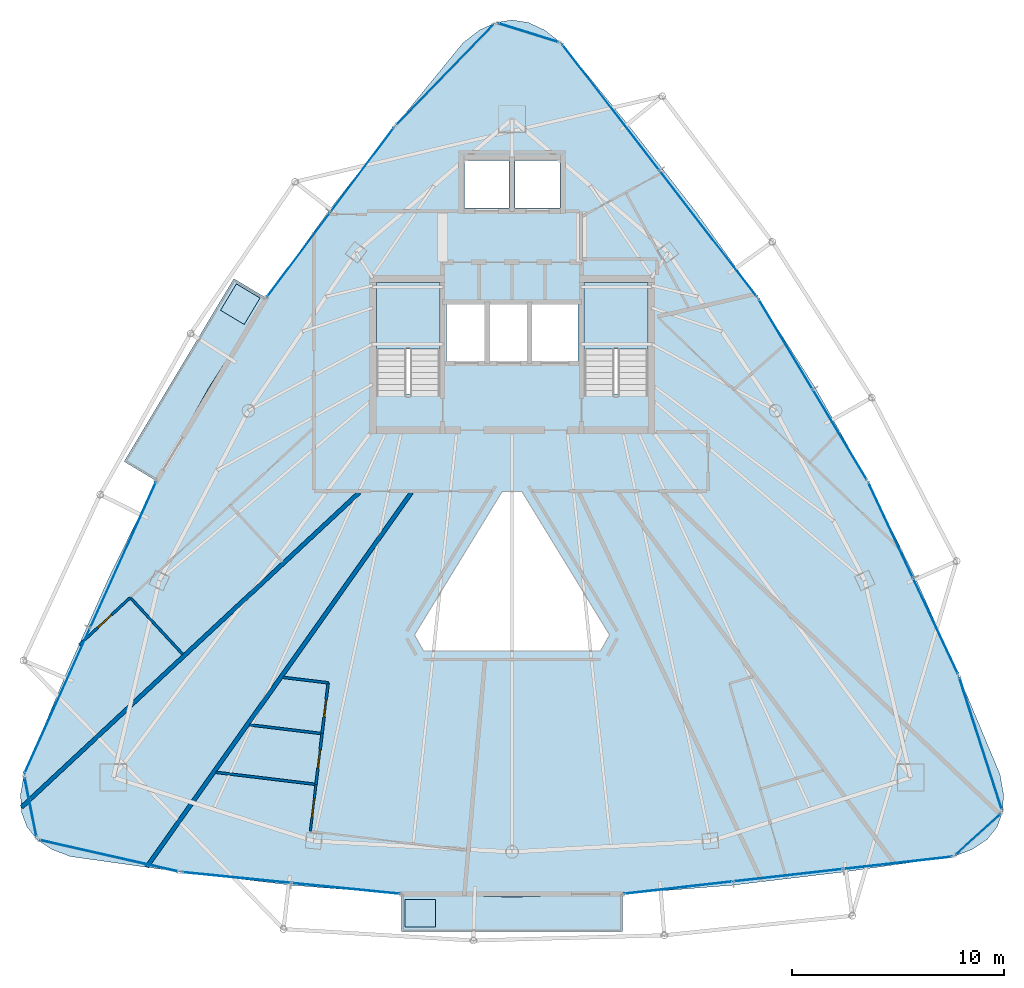
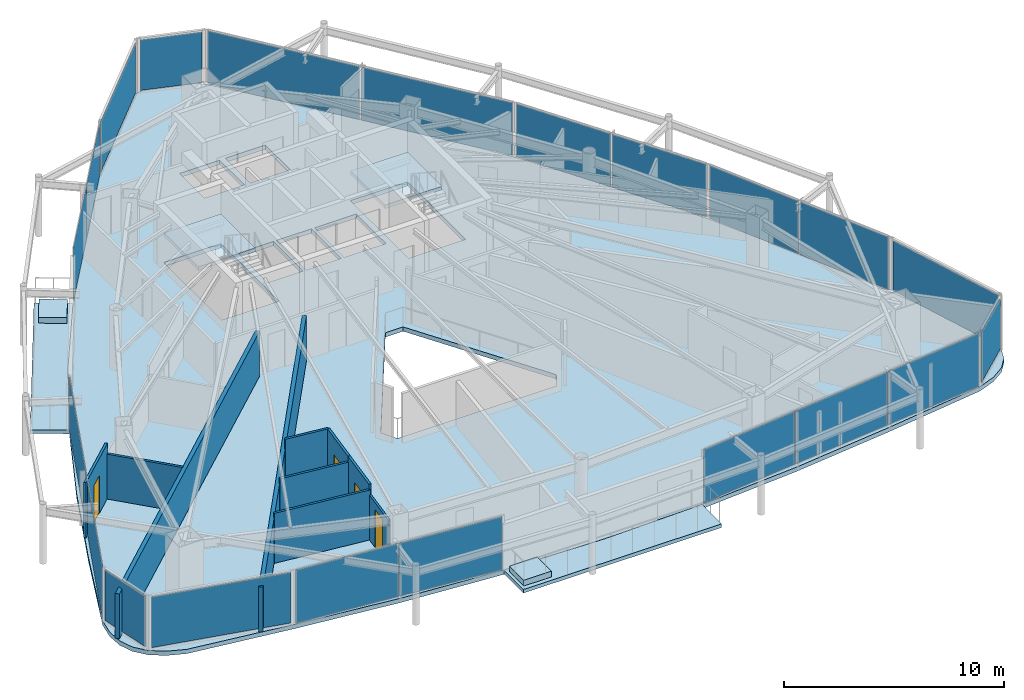
# One storey, part 26 of 32: 21 plates, 10 walls, 7 slabs, 4 doors, 4 openings, 15 elements without a shape of their own.
"""IFC4 building model written with IfcOpenShell, lengths in metres."""

from ifc_helpers import new_model, si_unit, direction, frame, frame_2d, origin, origin_2d, place, context, subcontext, project, spatial, polyline, rectangle, outline, extrude, material, layer, layer_set, type_object, element, fill, aggregate, save


model = new_model("IFC4")

# Units and contexts
model_context = context("Model", 3, precision=1e-05, world=origin(), true_north=direction((0.0, 1.0)))
body_context = subcontext(model_context, "Body", "Model", "MODEL_VIEW")
ifc_project = project(units=[si_unit("LENGTHUNIT", "METRE"), si_unit("AREAUNIT", "SQUARE_METRE"), si_unit("VOLUMEUNIT", "CUBIC_METRE"), si_unit("PLANEANGLEUNIT", "RADIAN"), si_unit("MASSUNIT", "GRAM", prefix="KILO")], contexts=[model_context])

# Site, building, storey
site_placement = place(None, origin())
site = spatial("IfcSite", under=ifc_project, at=site_placement, CompositionType="ELEMENT")
building_placement = place(site_placement, origin())
building = spatial("IfcBuilding", under=site, at=building_placement, Name="Orvanel Arch Residences", CompositionType="ELEMENT")
storey_placement = place(building_placement, frame((0.0, 0.0, 216.199951171875)))
storey = spatial("IfcBuildingStorey", under=building, at=storey_placement, Name="L61", CompositionType="ELEMENT", Elevation=216.199951171875)

# Curtain wall, plates
ifc_material_1 = material(Name="Bronze-anodised aluminium AA6063-T6", Category="aluminium")
ifc_layer_1 = layer(ifc_material_1, 0.175048828125)
ifc_layer_set_1 = layer_set([ifc_layer_1], Name="Bronze-anodised aluminium AA6063-T6")
curtain_wall_type_1 = type_object("IfcCurtainWallType", Name="CW4-HI-SYS", PredefinedType="NOTDEFINED", material=ifc_layer_set_1)
curtain_wall_1_placement = place(storey_placement, origin())
curtain_wall_1 = element("IfcCurtainWall", 1, at=curtain_wall_1_placement, inside=storey, type_object=curtain_wall_type_1, Name="L61 CW4-HI-SYS Unitised Curtain Wall", PredefinedType="NOTDEFINED")
ifc_material_2 = material(Name="Double-glazed solar-control low-E safety glass", Category="glass")
ifc_layer_2 = layer(ifc_material_2, 0.028076171875)
ifc_layer_set_2 = layer_set([ifc_layer_2], Name="Double-glazed solar-control low-E safety glass")
plate_type_1 = type_object("IfcPlateType", Name="PNL-GLZ-28", PredefinedType="CURTAIN_PANEL", material=ifc_layer_set_2)
plate_1_placement = place(storey_placement, frame((25.9365234375, 39.006103515625, 0.06005859375), z_axis=(0.0, 0.0, 1.0), x_axis=(-0.599364196559, -0.800476458044, 0.0)))
plate_1 = element("IfcPlate", 2, at=plate_1_placement, type_object=plate_type_1, Name="CW-S4 panel 1.1", PredefinedType="CURTAIN_PANEL", context=body_context, shape_type="SweptSolid", body=[
    extrude(rectangle(XDim=4.93701171875, YDim=0.028076171875, at=origin_2d()), origin(), (0.0, 0.0, 1.0), 2.93994140625),
])
plate_2_placement = place(storey_placement, frame((22.9384765625, 35.001953125, 0.06005859375), z_axis=(0.0, 0.0, 1.0), x_axis=(-0.599364196559, -0.800476458044, 0.0)))
plate_2 = element("IfcPlate", 3, at=plate_2_placement, type_object=plate_type_1, Name="CW-S4 panel 2.1", PredefinedType="CURTAIN_PANEL", context=body_context, shape_type="SweptSolid", body=[
    extrude(rectangle(XDim=4.93701171875, YDim=0.028076171875, at=origin_2d()), origin(), (0.0, 0.0, 1.0), 2.93994140625),
])
aggregate(curtain_wall_1, [plate_1, plate_2])

curtain_wall_2_placement = place(storey_placement, origin())
curtain_wall_2 = element("IfcCurtainWall", 4, at=curtain_wall_2_placement, inside=storey, type_object=curtain_wall_type_1, Name="L61 CW4-HI-SYS Unitised Curtain Wall", PredefinedType="NOTDEFINED")
plate_3_placement = place(storey_placement, frame((14.66259765625, 20.849365234375, 0.06005859375), z_axis=(0.0, 0.0, 1.0), x_axis=(-0.411344383709, -0.911480004164, 0.0)))
plate_3 = element("IfcPlate", 5, at=plate_3_placement, type_object=plate_type_1, Name="CW-S4 panel 1.1", PredefinedType="CURTAIN_PANEL", context=body_context, shape_type="SweptSolid", body=[
    extrude(rectangle(XDim=7.4765625, YDim=0.028076171875, at=origin_2d()), origin(), (0.0, 0.0, 1.0), 2.93994140625),
])
plate_4_placement = place(storey_placement, frame((11.560546875, 13.9755859375, 0.06005859375), z_axis=(0.0, 0.0, 1.0), x_axis=(-0.411344383709, -0.911480004164, 0.0)))
plate_4 = element("IfcPlate", 6, at=plate_4_placement, type_object=plate_type_1, Name="CW-S4 panel 2.1", PredefinedType="CURTAIN_PANEL", context=body_context, shape_type="SweptSolid", body=[
    extrude(rectangle(XDim=7.4765625, YDim=0.028076171875, at=origin_2d()), origin(), (0.0, 0.0, 1.0), 2.93994140625),
])
aggregate(curtain_wall_2, [plate_3, plate_4])

curtain_wall_3_placement = place(storey_placement, origin())
curtain_wall_3 = element("IfcCurtainWall", 7, at=curtain_wall_3_placement, inside=storey, type_object=curtain_wall_type_1, Name="L61 CW4-HI-SYS Unitised Curtain Wall", PredefinedType="NOTDEFINED")
plate_5_placement = place(storey_placement, frame((20.0126953125, 5.6318359375, 0.06005859375), z_axis=(0.0, 0.0, 1.0), x_axis=(0.995103474765, -0.098838628636, 0.0)))
plate_5 = element("IfcPlate", 8, at=plate_5_placement, type_object=plate_type_1, Name="CW-S4 panel 1.1", PredefinedType="CURTAIN_PANEL", context=body_context, shape_type="SweptSolid", body=[
    extrude(rectangle(XDim=5.113037109375, YDim=0.028076171875, at=origin_2d()), origin(), (0.0, 0.0, 1.0), 2.93994140625),
])
plate_6_placement = place(storey_placement, frame((25.165283203125, 5.1201171875, 0.06005859375), z_axis=(0.0, 0.0, 1.0), x_axis=(0.995103474765, -0.098838628636, 0.0)))
plate_6 = element("IfcPlate", 9, at=plate_6_placement, type_object=plate_type_1, Name="CW-S4 panel 2.1", PredefinedType="CURTAIN_PANEL", context=body_context, shape_type="SweptSolid", body=[
    extrude(rectangle(XDim=5.113037109375, YDim=0.028076171875, at=origin_2d()), origin(), (0.0, 0.0, 1.0), 2.93994140625),
])
aggregate(curtain_wall_3, [plate_5, plate_6])

curtain_wall_4_placement = place(storey_placement, origin())
curtain_wall_4 = element("IfcCurtainWall", 10, at=curtain_wall_4_placement, inside=storey, type_object=curtain_wall_type_1, Name="L61 CW4-HI-SYS Unitised Curtain Wall", PredefinedType="NOTDEFINED")
plate_7_placement = place(storey_placement, frame((40.838134765625, 5.15625, 0.06005859375), z_axis=(0.0, 0.0, 1.0), x_axis=(0.993676625705, 0.112279844711, 0.0)))
plate_7 = element("IfcPlate", 11, at=plate_7_placement, type_object=plate_type_1, Name="CW-S4 panel 1.1", PredefinedType="CURTAIN_PANEL", context=body_context, shape_type="SweptSolid", body=[
    extrude(rectangle(XDim=5.12744140625, YDim=0.028076171875, at=origin_2d()), origin(), (0.0, 0.0, 1.0), 2.93994140625),
])
plate_8_placement = place(storey_placement, frame((46.013916015625, 5.740966796875, 0.06005859375), z_axis=(0.0, 0.0, 1.0), x_axis=(0.993676625705, 0.112279844711, 0.0)))
plate_8 = element("IfcPlate", 12, at=plate_8_placement, type_object=plate_type_1, Name="CW-S4 panel 2.1", PredefinedType="CURTAIN_PANEL", context=body_context, shape_type="SweptSolid", body=[
    extrude(rectangle(XDim=5.16015625, YDim=0.028076171875, at=origin_2d()), origin(), (0.0, 0.0, 1.0), 2.93994140625),
])
plate_9_placement = place(storey_placement, frame((51.18994140625, 6.325927734375, 0.06005859375), z_axis=(0.0, 0.0, 1.0), x_axis=(0.993676625705, 0.112279844711, 0.0)))
plate_9 = element("IfcPlate", 13, at=plate_9_placement, type_object=plate_type_1, Name="CW-S4 panel 3.1", PredefinedType="CURTAIN_PANEL", context=body_context, shape_type="SweptSolid", body=[
    extrude(rectangle(XDim=5.12744140625, YDim=0.028076171875, at=origin_2d()), origin(), (0.0, 0.0, 1.0), 2.93994140625),
])
aggregate(curtain_wall_4, [plate_7, plate_8, plate_9])

curtain_wall_5_placement = place(storey_placement, origin())
curtain_wall_5 = element("IfcCurtainWall", 14, at=curtain_wall_5_placement, inside=storey, type_object=curtain_wall_type_1, Name="L61 CW4-HI-SYS Unitised Curtain Wall", PredefinedType="NOTDEFINED")
plate_10_placement = place(storey_placement, frame((52.96923828125, 17.49072265625, 0.06005859375), z_axis=(0.0, 0.0, 1.0), x_axis=(-0.424108203626, 0.905611523567, 0.0)))
plate_10 = element("IfcPlate", 15, at=plate_10_placement, type_object=plate_type_1, Name="CW-S4 panel 1.1", PredefinedType="CURTAIN_PANEL", context=body_context, shape_type="SweptSolid", body=[
    extrude(rectangle(XDim=4.937744140625, YDim=0.028076171875, at=origin_2d()), origin(), (0.0, 0.0, 1.0), 2.93994140625),
])
plate_11_placement = place(storey_placement, frame((50.84765625, 22.021240234375, 0.06005859375), z_axis=(0.0, 0.0, 1.0), x_axis=(-0.424108203626, 0.905611523567, 0.0)))
plate_11 = element("IfcPlate", 16, at=plate_11_placement, type_object=plate_type_1, Name="CW-S4 panel 2.1", PredefinedType="CURTAIN_PANEL", context=body_context, shape_type="SweptSolid", body=[
    extrude(rectangle(XDim=4.937744140625, YDim=0.028076171875, at=origin_2d()), origin(), (0.0, 0.0, 1.0), 2.93994140625),
])
aggregate(curtain_wall_5, [plate_10, plate_11])

curtain_wall_6_placement = place(storey_placement, origin())
curtain_wall_6 = element("IfcCurtainWall", 17, at=curtain_wall_6_placement, inside=storey, type_object=curtain_wall_type_1, Name="L61 CW4-HI-SYS Unitised Curtain Wall", PredefinedType="NOTDEFINED")
plate_12_placement = place(storey_placement, frame((48.45849609375, 26.512451171875, 0.06005859375), z_axis=(0.0, 0.0, 1.0), x_axis=(-0.514422349359, 0.857536965081, 0.0)))
plate_12 = element("IfcPlate", 18, at=plate_12_placement, type_object=plate_type_1, Name="CW-S4 panel 1.1", PredefinedType="CURTAIN_PANEL", context=body_context, shape_type="SweptSolid", body=[
    extrude(rectangle(XDim=4.9111328125, YDim=0.028076171875, at=origin_2d()), origin(), (0.0, 0.0, 1.0), 2.93994140625),
])
plate_13_placement = place(storey_placement, frame((45.898681640625, 30.779541015625, 0.06005859375), z_axis=(0.0, 0.0, 1.0), x_axis=(-0.514422349359, 0.857536965081, 0.0)))
plate_13 = element("IfcPlate", 19, at=plate_13_placement, type_object=plate_type_1, Name="CW-S4 panel 2.1", PredefinedType="CURTAIN_PANEL", context=body_context, shape_type="SweptSolid", body=[
    extrude(rectangle(XDim=4.9111328125, YDim=0.028076171875, at=origin_2d()), origin(), (0.0, 0.0, 1.0), 2.93994140625),
])
aggregate(curtain_wall_6, [plate_12, plate_13])

curtain_wall_7_placement = place(storey_placement, origin())
curtain_wall_7 = element("IfcCurtainWall", 20, at=curtain_wall_7_placement, inside=storey, type_object=curtain_wall_type_1, Name="L61 CW4-HI-SYS Unitised Curtain Wall", PredefinedType="NOTDEFINED")
plate_14_placement = place(storey_placement, frame((42.258056640625, 35.98583984375, 0.06005859375), z_axis=(0.0, 0.0, 1.0), x_axis=(-0.610552723467, 0.791975613177, 0.0)))
plate_14 = element("IfcPlate", 21, at=plate_14_placement, type_object=plate_type_1, Name="CW-S4 panel 1.1", PredefinedType="CURTAIN_PANEL", context=body_context, shape_type="SweptSolid", body=[
    extrude(rectangle(XDim=7.47607421875, YDim=0.028076171875, at=origin_2d()), origin(), (0.0, 0.0, 1.0), 2.93994140625),
])
plate_15_placement = place(storey_placement, frame((37.65380859375, 41.958251953125, 0.06005859375), z_axis=(0.0, 0.0, 1.0), x_axis=(-0.610552723467, 0.791975613177, 0.0)))
plate_15 = element("IfcPlate", 22, at=plate_15_placement, type_object=plate_type_1, Name="CW-S4 panel 2.1", PredefinedType="CURTAIN_PANEL", context=body_context, shape_type="SweptSolid", body=[
    extrude(rectangle(XDim=7.47607421875, YDim=0.028076171875, at=origin_2d()), origin(), (0.0, 0.0, 1.0), 2.93994140625),
])
aggregate(curtain_wall_7, [plate_14, plate_15])

# Curtain wall, plate
ifc_layer_3 = layer(ifc_material_1, 0.18994140625)
ifc_layer_set_3 = layer_set([ifc_layer_3], Name="Bronze-anodised aluminium AA6063-T6")
curtain_wall_type_2 = type_object("IfcCurtainWallType", Name="CW5-CRN-SYS", PredefinedType="NOTDEFINED", material=ifc_layer_set_3)
curtain_wall_8_placement = place(storey_placement, origin())
curtain_wall_8 = element("IfcCurtainWall", 23, at=curtain_wall_8_placement, inside=storey, type_object=curtain_wall_type_2, Name="L61 CW5-CRN-SYS Unitised Curtain Wall", PredefinedType="NOTDEFINED")
ifc_layer_4 = layer(ifc_material_2, 0.031982421875)
ifc_layer_set_4 = layer_set([ifc_layer_4], Name="Double-glazed solar-control low-E safety glass")
plate_type_2 = type_object("IfcPlateType", Name="PNL-GLZ-32", PredefinedType="CURTAIN_PANEL", material=ifc_layer_set_4)
plate_16_placement = place(storey_placement, frame((33.7734375, 45.467529296875, 0.1298828125), z_axis=(0.0, 0.0, 1.0), x_axis=(-0.954807511181, 0.297224858639, 0.0)))
plate_16 = element("IfcPlate", 24, at=plate_16_placement, type_object=plate_type_2, Name="CW-S5 panel 1.1", PredefinedType="CURTAIN_PANEL", context=body_context, shape_type="SweptSolid", body=[
    extrude(rectangle(XDim=2.899658203125, YDim=0.031982421875, at=origin_2d()), origin(), (0.0, 0.0, 1.0), 2.800048828125),
])
aggregate(curtain_wall_8, [plate_16])

curtain_wall_9_placement = place(storey_placement, origin())
curtain_wall_9 = element("IfcCurtainWall", 25, at=curtain_wall_9_placement, inside=storey, type_object=curtain_wall_type_2, Name="L61 CW5-CRN-SYS Unitised Curtain Wall", PredefinedType="NOTDEFINED")
plate_17_placement = place(storey_placement, frame((29.846923828125, 43.49951171875, 0.1298828125), z_axis=(0.0, 0.0, 1.0), x_axis=(-0.696798671558, -0.717266764401, 0.0)))
plate_17 = element("IfcPlate", 26, at=plate_17_placement, type_object=plate_type_2, Name="CW-S5 panel 1.1", PredefinedType="CURTAIN_PANEL", context=body_context, shape_type="SweptSolid", body=[
    extrude(rectangle(XDim=6.490966796875, YDim=0.031982421875, at=origin_2d()), origin(), (0.0, 0.0, 1.0), 2.800048828125),
])
aggregate(curtain_wall_9, [plate_17])

curtain_wall_10_placement = place(storey_placement, origin())
curtain_wall_10 = element("IfcCurtainWall", 27, at=curtain_wall_10_placement, inside=storey, type_object=curtain_wall_type_2, Name="L61 CW5-CRN-SYS Unitised Curtain Wall", PredefinedType="NOTDEFINED")
plate_18_placement = place(storey_placement, frame((10.29296875, 8.9609375, 0.1298828125), z_axis=(0.0, 0.0, 1.0), x_axis=(0.195491601364, -0.980705375633, 0.0)))
plate_18 = element("IfcPlate", 28, at=plate_18_placement, type_object=plate_type_2, Name="CW-S5 panel 1.1", PredefinedType="CURTAIN_PANEL", context=body_context, shape_type="SweptSolid", body=[
    extrude(rectangle(XDim=2.779296875, YDim=0.031982421875, at=origin_2d()), origin(), (0.0, 0.0, 1.0), 2.800048828125),
])
aggregate(curtain_wall_10, [plate_18])

curtain_wall_11_placement = place(storey_placement, origin())
curtain_wall_11 = element("IfcCurtainWall", 29, at=curtain_wall_11_placement, inside=storey, type_object=curtain_wall_type_2, Name="L61 CW5-CRN-SYS Unitised Curtain Wall", PredefinedType="NOTDEFINED")
plate_19_placement = place(storey_placement, frame((13.990966796875, 6.662109375, 0.1298828125), z_axis=(0.0, 0.0, 1.0), x_axis=(0.975232163549, -0.221183695553, 0.0)))
plate_19 = element("IfcPlate", 30, at=plate_19_placement, type_object=plate_type_2, Name="CW-S5 panel 1.1", PredefinedType="CURTAIN_PANEL", context=body_context, shape_type="SweptSolid", body=[
    extrude(rectangle(XDim=6.617431640625, YDim=0.031982421875, at=origin_2d()), origin(), (0.0, 0.0, 1.0), 2.800048828125),
])
aggregate(curtain_wall_11, [plate_19])

curtain_wall_12_placement = place(storey_placement, origin())
curtain_wall_12 = element("IfcCurtainWall", 31, at=curtain_wall_12_placement, inside=storey, type_object=curtain_wall_type_2, Name="L61 CW5-CRN-SYS Unitised Curtain Wall", PredefinedType="NOTDEFINED")
plate_20_placement = place(storey_placement, frame((54.97705078125, 7.67138671875, 0.1298828125), z_axis=(0.0, 0.0, 1.0), x_axis=(0.740219127016, 0.672365707037, 0.0)))
plate_20 = element("IfcPlate", 32, at=plate_20_placement, type_object=plate_type_2, Name="CW-S5 panel 1.1", PredefinedType="CURTAIN_PANEL", context=body_context, shape_type="SweptSolid", body=[
    extrude(rectangle(XDim=2.7802734375, YDim=0.031982421875, at=origin_2d()), origin(), (0.0, 0.0, 1.0), 2.800048828125),
])
aggregate(curtain_wall_12, [plate_20])

curtain_wall_13_placement = place(storey_placement, origin())
curtain_wall_13 = element("IfcCurtainWall", 33, at=curtain_wall_13_placement, inside=storey, type_object=curtain_wall_type_2, Name="L61 CW5-CRN-SYS Unitised Curtain Wall", PredefinedType="NOTDEFINED")
plate_21_placement = place(storey_placement, frame((55.092041015625, 11.948974609375, 0.1298828125), z_axis=(0.0, 0.0, 1.0), x_axis=(-0.306604222357, 0.951837092592, 0.0)))
plate_21 = element("IfcPlate", 34, at=plate_21_placement, type_object=plate_type_2, Name="CW-S5 panel 1.1", PredefinedType="CURTAIN_PANEL", context=body_context, shape_type="SweptSolid", body=[
    extrude(rectangle(XDim=6.44482421875, YDim=0.031982421875, at=origin_2d()), origin(), (0.0, 0.0, 1.0), 2.800048828125),
])
aggregate(curtain_wall_13, [plate_21])

# Slabs
ifc_material_3 = material(Name="Concrete N40 (40 MPa)", Category="concrete")
ifc_layer_5 = layer(ifc_material_3, 0.199951171875)
ifc_layer_set_5 = layer_set([ifc_layer_5], Name="Concrete N40 (40 MPa)")
slab_type_1 = type_object("IfcSlabType", Name="SLB-BAL-200", PredefinedType="FLOOR", material=ifc_layer_set_5)
slab_1_placement = place(storey_placement, frame((0.0, 0.0, -0.199951171875)))
element("IfcSlab", 35, at=slab_1_placement, inside=storey, type_object=slab_type_1, Name="L61 Cantilevered Balcony Slab Face 1", PredefinedType="FLOOR", context=body_context, shape_type="SweptSolid", body=[
    extrude(outline(polyline([(19.882080078125, 33.873046875), (14.708984375, 25.2490234375), (16.235107421875, 24.333984375), (18.697021484375, 28.720947265625), (21.407958984375, 32.9580078125), (19.882080078125, 33.873046875)])), origin(), (0.0, 0.0, 1.0), 0.199951171875),
])
slab_2_placement = place(storey_placement, frame((0.0, 0.0, -0.199951171875)))
element("IfcSlab", 36, at=slab_2_placement, inside=storey, type_object=slab_type_1, Name="L61 Cantilevered Balcony Slab Face 2", PredefinedType="FLOOR", context=body_context, shape_type="SweptSolid", body=[
    extrude(outline(polyline([(27.7939453125, 3.0791015625), (38.2060546875, 3.0791015625), (38.2060546875, 4.85888671875), (33.0, 4.714111328125), (27.7939453125, 4.85888671875), (27.7939453125, 3.0791015625)])), origin(), (0.0, 0.0, 1.0), 0.199951171875),
])

# Stair, slab
ifc_material_4 = material(Name="Precast concrete N50 (50 MPa)", Category="concrete")
stair_type = type_object("IfcStairType", Name="STR-DOG-184", PredefinedType="USERDEFINED", material=ifc_material_4)
stair_1_placement = place(storey_placement, origin())
stair_1 = element("IfcStair", 37, at=stair_1_placement, inside=storey, type_object=stair_type, Name="L61 Fire-Isolated Core Exit Stair 1", ObjectType="TWO_RETURN_STAIR", PredefinedType="USERDEFINED")
ifc_layer_6 = layer(ifc_material_3, 0.199951171875)
ifc_layer_set_6 = layer_set([ifc_layer_6], Name="Concrete N40 (40 MPa)")
slab_type_2 = type_object("IfcSlabType", Name="SLB-LND-200", PredefinedType="LANDING", material=ifc_layer_set_6)
slab_3_placement = place(storey_placement, frame((0.0, 0.0, 1.449951171875)))
slab_3 = element("IfcSlab", 38, at=slab_3_placement, type_object=slab_type_2, Name="ST-1 landing 1", PredefinedType="LANDING", context=body_context, shape_type="SweptSolid", body=[
    extrude(outline(polyline([(29.60009765625, 30.56005859375), (29.60009765625, 33.699951171875), (26.60009765625, 33.699951171875), (26.60009765625, 30.56005859375), (29.60009765625, 30.56005859375)])), origin(), (0.0, 0.0, 1.0), 0.2001953125),
])
aggregate(stair_1, [slab_3])

stair_2_placement = place(storey_placement, origin())
stair_2 = element("IfcStair", 39, at=stair_2_placement, inside=storey, type_object=stair_type, Name="L61 Fire-Isolated Core Exit Stair 2", ObjectType="TWO_RETURN_STAIR", PredefinedType="USERDEFINED")
slab_4_placement = place(storey_placement, frame((0.0, 0.0, 1.449951171875)))
slab_4 = element("IfcSlab", 40, at=slab_4_placement, type_object=slab_type_2, Name="ST-2 landing 1", PredefinedType="LANDING", context=body_context, shape_type="SweptSolid", body=[
    extrude(outline(polyline([(39.39990234375, 30.56005859375), (39.39990234375, 33.699951171875), (36.39990234375, 33.699951171875), (36.39990234375, 30.56005859375), (39.39990234375, 30.56005859375)])), origin(), (0.0, 0.0, 1.0), 0.2001953125),
])
aggregate(stair_2, [slab_4])

# Slabs
ifc_material_5 = material(Name="Structural architectural precast concrete N40 (40 MPa) planter", Category="concrete")
ifc_layer_7 = layer(ifc_material_5, 0.320068359375)
ifc_layer_set_7 = layer_set([ifc_layer_7], Name="Structural architectural precast concrete N40 (40 MPa) planter")
slab_type_3 = type_object("IfcSlabType", Name="SLB-PLN-320", PredefinedType="USERDEFINED", material=ifc_layer_set_7)
slab_5_placement = place(storey_placement, origin())
element("IfcSlab", 41, at=slab_5_placement, inside=storey, type_object=slab_type_3, Name="L61 Balcony TREE PLANTER Face 1", ObjectType="PLANTER", PredefinedType="USERDEFINED", context=body_context, shape_type="SweptSolid", body=[
    extrude(outline(polyline([(20.001953125, 33.6259765625), (19.256103515625, 32.383056640625), (20.37109375, 31.714111328125), (21.116943359375, 32.9580078125), (20.001953125, 33.6259765625)])), origin(), (0.0, 0.0, 1.0), 0.320068359375),
])
slab_6_placement = place(storey_placement, origin())
element("IfcSlab", 42, at=slab_6_placement, inside=storey, type_object=slab_type_3, Name="L61 Balcony TREE PLANTER Face 2", ObjectType="PLANTER", PredefinedType="USERDEFINED", context=body_context, shape_type="SweptSolid", body=[
    extrude(outline(polyline([(27.944091796875, 3.30908203125), (29.39501953125, 3.30908203125), (29.39501953125, 4.60888671875), (27.944091796875, 4.60888671875), (27.944091796875, 3.30908203125)])), origin(), (0.0, 0.0, 1.0), 0.320068359375),
])
ifc_layer_8 = layer(ifc_material_3, 0.239990234375)
ifc_layer_set_8 = layer_set([ifc_layer_8], Name="Concrete N40 (40 MPa)")
slab_type_4 = type_object("IfcSlabType", Name="SLB-TYP-240", PredefinedType="FLOOR", material=ifc_layer_set_8)
slab_7_placement = place(storey_placement, frame((0.0, 0.0, -0.239990234375)))
element("IfcSlab", 43, at=slab_7_placement, inside=storey, type_object=slab_type_4, Name="L61 Tower Floor Slab", PredefinedType="FLOOR", context=body_context, shape_type="SweptSolid", body=[
    extrude(outline(polyline([(35.320068359375, 44.986083984375), (34.5458984375, 45.587890625), (33.77294921875, 45.948974609375), (33.0, 46.069091796875), (32.22705078125, 45.948974609375), (31.4541015625, 45.587890625), (30.679931640625, 44.986083984375), (27.467041015625, 41.050048828125), (24.35009765625, 37.056884765625), (21.407958984375, 32.9580078125), (18.697021484375, 28.720947265625), (16.235107421875, 24.333984375), (14.00390625, 19.80908203125), (11.947998046875, 15.177978515625), (9.988037109375, 10.490966796875), (9.822021484375, 9.544921875), (9.867919921875, 8.719970703125), (10.126953125, 8.01611328125), (10.597900390625, 7.430908203125), (11.281982421875, 6.967041015625), (12.177978515625, 6.623046875), (17.384033203125, 5.89306640625), (22.589111328125, 5.27294921875), (27.7939453125, 4.85888671875), (33.0, 4.714111328125), (38.2060546875, 4.85888671875), (43.410888671875, 5.27294921875), (48.615966796875, 5.89306640625), (53.822021484375, 6.623046875), (54.718017578125, 6.967041015625), (55.402099609375, 7.430908203125), (55.873046875, 8.01611328125), (56.132080078125, 8.719970703125), (56.177978515625, 9.544921875), (56.011962890625, 10.490966796875), (54.052001953125, 15.177978515625), (51.99609375, 19.80908203125), (49.764892578125, 24.333984375), (47.302978515625, 28.720947265625), (44.592041015625, 32.9580078125), (41.64990234375, 37.056884765625), (38.532958984375, 41.050048828125), (35.320068359375, 44.986083984375)]), holes=[polyline([(26.60009765625, 28.429931640625), (26.60009765625, 33.699951171875), (29.60009765625, 33.699951171875), (29.60009765625, 28.429931640625), (26.60009765625, 28.429931640625)]), polyline([(36.39990234375, 28.429931640625), (36.39990234375, 33.699951171875), (39.39990234375, 33.699951171875), (39.39990234375, 28.429931640625), (36.39990234375, 28.429931640625)]), polyline([(29.89990234375, 32.64990234375), (31.75, 32.64990234375), (31.75, 29.949951171875), (29.89990234375, 29.949951171875), (29.89990234375, 32.64990234375)]), polyline([(31.89990234375, 32.64990234375), (33.75, 32.64990234375), (33.75, 29.949951171875), (31.89990234375, 29.949951171875), (31.89990234375, 32.64990234375)]), polyline([(33.89990234375, 32.64990234375), (36.10009765625, 32.64990234375), (36.10009765625, 29.949951171875), (33.89990234375, 29.949951171875), (33.89990234375, 32.64990234375)]), polyline([(30.75, 39.449951171875), (32.85009765625, 39.449951171875), (32.85009765625, 37.199951171875), (30.75, 37.199951171875), (30.75, 39.449951171875)]), polyline([(33.14990234375, 39.449951171875), (35.25, 39.449951171875), (35.25, 37.199951171875), (33.14990234375, 37.199951171875), (33.14990234375, 39.449951171875)]), polyline([(37.60009765625, 17.074951171875), (37.172119140625, 16.31201171875), (28.827880859375, 16.31201171875), (28.39990234375, 17.074951171875), (32.533935546875, 23.8369140625), (33.466064453125, 23.8369140625), (37.60009765625, 17.074951171875)])]), origin(), (0.0, 0.0, 1.0), 0.239990234375),
])

# Walls
ifc_material_6 = material(Name="Fire-rated plasterboard lined steel stud partition", Category="steel")
ifc_layer_9 = layer(ifc_material_6, 0.199951171875)
ifc_layer_set_9 = layer_set([ifc_layer_9], Name="Fire-rated plasterboard lined steel stud partition")
wall_type_1 = type_object("IfcWallType", Name="W-DEM-200", PredefinedType="PARTITIONING", material=ifc_layer_set_9)
wall_1_placement = place(storey_placement, frame((15.77587890625, 6.132080078125, 0.0), z_axis=(0.0, 0.0, 1.0), x_axis=(0.577200381612, 0.816602546816, 0.0)))
element("IfcWall", 44, at=wall_1_placement, inside=storey, type_object=wall_type_1, Name="L61 Inter-Tenancy Acoustic Demising Wall", PredefinedType="PARTITIONING", context=body_context, shape_type="SweptSolid", body=[
    extrude(rectangle(XDim=21.623779296875, YDim=0.199951171875, at=frame_2d((10.81201171875, 0.0))), origin(), (0.0, 0.0, 1.0), 2.491943359375),
])
wall_2_placement = place(storey_placement, frame((25.799072265625, 23.7900390625, 0.0), z_axis=(0.0, 0.0, 1.0), x_axis=(-0.731584830333, -0.681750420629, 0.0)))
element("IfcWall", 45, at=wall_2_placement, inside=storey, type_object=wall_type_1, Name="L61 Inter-Tenancy Acoustic Demising Wall", PredefinedType="PARTITIONING", context=body_context, shape_type="SweptSolid", body=[
    extrude(rectangle(XDim=21.776123046875, YDim=0.199951171875, at=frame_2d((10.88818359375, 0.0))), origin(), (0.0, 0.0, 1.0), 2.491943359375),
])

# Wall, opening, door
ifc_material_7 = material(Name="Acoustic plasterboard lined twin-stud partition", Category="gypsum")
ifc_layer_10 = layer(ifc_material_7, 0.10009765625)
ifc_layer_set_10 = layer_set([ifc_layer_10], Name="Acoustic plasterboard lined twin-stud partition")
wall_type_2 = type_object("IfcWallType", Name="W-INT-100", PredefinedType="PARTITIONING", material=ifc_layer_set_10)
wall_3_placement = place(storey_placement, frame((23.489013671875, 7.81689453125, 0.0), z_axis=(0.0, 0.0, 1.0), x_axis=(0.119063005136, 0.992886700892, 0.0)))
wall_3 = element("IfcWall", 46, at=wall_3_placement, inside=storey, type_object=wall_type_2, Name="L61 Studio A Internal Partition", PredefinedType="PARTITIONING", context=body_context, shape_type="SweptSolid", body=[
    extrude(rectangle(XDim=2.224853515625, YDim=0.10009765625, at=frame_2d((1.1123046875, 0.0))), origin(), (0.0, 0.0, 1.0), 2.491943359375),
])
opening_1_placement = place(wall_3_placement, frame((0.672119140625, 0.0, 0.0)))
opening_1 = element("IfcOpeningElement", 47, at=opening_1_placement, cuts=wall_3, Name="Opening DI-088", PredefinedType="OPENING", context=body_context, shape_type="SweptSolid", body=[
    extrude(rectangle(XDim=0.8798828125, YDim=2.10009765625, at=frame_2d((0.43994140625, 1.050048828125))), frame((0.0, 0.06005859375, 0.0), z_axis=(0.0, -1.0, 0.0), x_axis=(1.0, 0.0, 0.0)), (0.0, 0.0, 1.0), 0.1201171875),
])
ifc_material_8 = material(Name="Solid-core European oak veneer fire door leaf", Category="wood")
door_type_1 = type_object("IfcDoorType", Name="DR-INT-880", OperationType="NOTDEFINED", PredefinedType="DOOR", material=ifc_material_8)
door_1_placement = place(opening_1_placement, origin())
door_1 = element("IfcDoor", 48, at=door_1_placement, inside=storey, type_object=door_type_1, Name="DR-L61-A-OFC2 L61 Studio A Home Work Office 2 Door", OperationType="SINGLE_SWING_LEFT", OverallHeight=2.10009765625, OverallWidth=0.8798828125, PredefinedType="DOOR", context=body_context, shape_type="SweptSolid", body=[
    extrude(rectangle(XDim=0.8798828125, YDim=2.10009765625, at=frame_2d((0.43994140625, 1.050048828125))), frame((0.0, 0.02490234375, 0.0), z_axis=(0.0, -1.0, 0.0), x_axis=(1.0, 0.0, 0.0)), (0.0, 0.0, 1.0), 0.050048828125),
])
fill(opening_1, door_1)

ifc_layer_11 = layer(ifc_material_7, 0.1201171875)
ifc_layer_set_11 = layer_set([ifc_layer_11], Name="Acoustic plasterboard lined twin-stud partition")
wall_type_3 = type_object("IfcWallType", Name="W-WET-120", PredefinedType="PARTITIONING", material=ifc_layer_set_11)
wall_4_placement = place(storey_placement, frame((24.0419921875, 12.419921875, 0.0), z_axis=(0.0, 0.0, 1.0), x_axis=(0.119823599825, 0.992795197876, 0.0)))
wall_4 = element("IfcWall", 49, at=wall_4_placement, inside=storey, type_object=wall_type_3, Name="L61 Studio A Bathroom Partition", PredefinedType="PARTITIONING", context=body_context, shape_type="SweptSolid", body=[
    extrude(rectangle(XDim=2.412353515625, YDim=0.1201171875, at=frame_2d((1.2060546875, 0.0))), origin(), (0.0, 0.0, 1.0), 3.06005859375),
])
opening_2_placement = place(wall_4_placement, frame((0.7958984375, 0.0, 0.0)))
opening_2 = element("IfcOpeningElement", 50, at=opening_2_placement, cuts=wall_4, Name="Opening DW-082", PredefinedType="OPENING", context=body_context, shape_type="SweptSolid", body=[
    extrude(rectangle(XDim=0.820068359375, YDim=2.10009765625, at=frame_2d((0.41015625, 1.050048828125))), frame((0.0, 0.070068359375, 0.0), z_axis=(0.0, -1.0, 0.0), x_axis=(1.0, 0.0, 0.0)), (0.0, 0.0, 1.0), 0.14013671875),
])
door_type_2 = type_object("IfcDoorType", Name="DR-WET-820", OperationType="NOTDEFINED", PredefinedType="DOOR", material=ifc_material_8)
door_2_placement = place(opening_2_placement, origin())
door_2 = element("IfcDoor", 51, at=door_2_placement, inside=storey, type_object=door_type_2, Name="DR-L61-A-BATH L61 Studio A Bathroom Door", OperationType="SINGLE_SWING_RIGHT", OverallHeight=2.10009765625, OverallWidth=0.820068359375, PredefinedType="DOOR", context=body_context, shape_type="SweptSolid", body=[
    extrude(rectangle(XDim=0.820068359375, YDim=2.10009765625, at=frame_2d((0.41015625, 1.050048828125))), frame((0.0, 0.02490234375, 0.0), z_axis=(0.0, -1.0, 0.0), x_axis=(1.0, 0.0, 0.0)), (0.0, 0.0, 1.0), 0.050048828125),
])
fill(opening_2, door_2)

# Wall
wall_5_placement = place(storey_placement, frame((24.3310546875, 14.81494140625, 0.0), z_axis=(0.0, 0.0, 1.0), x_axis=(-0.992808897326, 0.119710038805, 0.0)))
element("IfcWall", 52, at=wall_5_placement, inside=storey, type_object=wall_type_3, Name="L61 Studio A Bathroom Partition", PredefinedType="PARTITIONING", context=body_context, shape_type="SweptSolid", body=[
    extrude(rectangle(XDim=2.1474609375, YDim=0.1201171875, at=frame_2d((1.07373046875, 0.0))), origin(), (0.0, 0.0, 1.0), 3.06005859375),
])

# Wall, opening, door
wall_6_placement = place(storey_placement, frame((23.75390625, 10.02587890625, 0.0), z_axis=(0.0, 0.0, 1.0), x_axis=(0.119472593193, 0.992837499028, 0.0)))
wall_6 = element("IfcWall", 53, at=wall_6_placement, inside=storey, type_object=wall_type_3, Name="L61 Studio A Internal Partition", PredefinedType="PARTITIONING", context=body_context, shape_type="SweptSolid", body=[
    extrude(rectangle(XDim=2.411376953125, YDim=0.1201171875, at=frame_2d((1.20556640625, 0.0))), origin(), (0.0, 0.0, 1.0), 3.06005859375),
])
opening_3_placement = place(wall_6_placement, frame((0.76611328125, 0.0, 0.0)))
opening_3 = element("IfcOpeningElement", 54, at=opening_3_placement, cuts=wall_6, Name="Opening DI-088", PredefinedType="OPENING", context=body_context, shape_type="SweptSolid", body=[
    extrude(rectangle(XDim=0.8798828125, YDim=2.10009765625, at=frame_2d((0.43994140625, 1.050048828125))), frame((0.0, 0.070068359375, 0.0), z_axis=(0.0, -1.0, 0.0), x_axis=(1.0, 0.0, 0.0)), (0.0, 0.0, 1.0), 0.14013671875),
])
door_3_placement = place(opening_3_placement, origin())
door_3 = element("IfcDoor", 55, at=door_3_placement, inside=storey, type_object=door_type_1, Name="DR-L61-A-KIT L61 Studio A Kitchenette Door", OperationType="SINGLE_SWING_LEFT", OverallHeight=2.10009765625, OverallWidth=0.8798828125, PredefinedType="DOOR", context=body_context, shape_type="SweptSolid", body=[
    extrude(rectangle(XDim=0.8798828125, YDim=2.10009765625, at=frame_2d((0.43994140625, 1.050048828125))), frame((0.0, 0.02490234375, 0.0), z_axis=(0.0, -1.0, 0.0), x_axis=(1.0, 0.0, 0.0)), (0.0, 0.0, 1.0), 0.050048828125),
])
fill(opening_3, door_3)

# Walls
wall_7_placement = place(storey_placement, frame((24.0419921875, 12.419921875, 0.0), z_axis=(0.0, 0.0, 1.0), x_axis=(-0.992809391247, 0.119705942421, 0.0)))
element("IfcWall", 56, at=wall_7_placement, inside=storey, type_object=wall_type_3, Name="L61 Studio A Bathroom Partition", PredefinedType="PARTITIONING", context=body_context, shape_type="SweptSolid", body=[
    extrude(rectangle(XDim=3.450927734375, YDim=0.1201171875, at=frame_2d((1.7255859375, 0.0))), origin(), (0.0, 0.0, 1.0), 2.77294921875),
])
wall_8_placement = place(storey_placement, frame((23.75390625, 10.02587890625, 0.0), z_axis=(0.0, 0.0, 1.0), x_axis=(-0.992834006213, 0.1195016155, 0.0)))
element("IfcWall", 57, at=wall_8_placement, inside=storey, type_object=wall_type_3, Name="L61 Studio A Internal Partition", PredefinedType="PARTITIONING", context=body_context, shape_type="SweptSolid", body=[
    extrude(rectangle(XDim=4.754150390625, YDim=0.1201171875, at=frame_2d((2.376953125, 0.0))), origin(), (0.0, 0.0, 1.0), 2.77294921875),
])

# Wall, opening, door
wall_9_placement = place(storey_placement, frame((14.998046875, 18.833984375, 0.0), z_axis=(0.0, 0.0, 1.0), x_axis=(-0.733840210512, -0.679322121998, 0.0)))
wall_9 = element("IfcWall", 58, at=wall_9_placement, inside=storey, type_object=wall_type_3, Name="L61 Studio D Internal Partition", PredefinedType="PARTITIONING", context=body_context, shape_type="SweptSolid", body=[
    extrude(rectangle(XDim=3.286865234375, YDim=0.1201171875, at=frame_2d((1.6435546875, 0.0))), origin(), (0.0, 0.0, 1.0), 3.06005859375),
])
opening_4_placement = place(wall_9_placement, frame((1.202880859375, 0.0, 0.0)))
opening_4 = element("IfcOpeningElement", 59, at=opening_4_placement, cuts=wall_9, Name="Opening DI-088", PredefinedType="OPENING", context=body_context, shape_type="SweptSolid", body=[
    extrude(rectangle(XDim=0.8798828125, YDim=2.10009765625, at=frame_2d((0.43994140625, 1.050048828125))), frame((0.0, 0.070068359375, 0.0), z_axis=(0.0, -1.0, 0.0), x_axis=(1.0, 0.0, 0.0)), (0.0, 0.0, 1.0), 0.14013671875),
])
door_4_placement = place(opening_4_placement, origin())
door_4 = element("IfcDoor", 60, at=door_4_placement, inside=storey, type_object=door_type_1, Name="DR-L61-D-KIT L61 Studio D Kitchenette Door", OperationType="SINGLE_SWING_LEFT", OverallHeight=2.10009765625, OverallWidth=0.8798828125, PredefinedType="DOOR", context=body_context, shape_type="SweptSolid", body=[
    extrude(rectangle(XDim=0.8798828125, YDim=2.10009765625, at=frame_2d((0.43994140625, 1.050048828125))), frame((0.0, 0.02490234375, 0.0), z_axis=(0.0, -1.0, 0.0), x_axis=(1.0, 0.0, 0.0)), (0.0, 0.0, 1.0), 0.050048828125),
])
fill(opening_4, door_4)

# Wall
wall_10_placement = place(storey_placement, frame((14.998046875, 18.833984375, 0.0), z_axis=(0.0, 0.0, 1.0), x_axis=(0.67920675179, -0.733946992856, 0.0)))
element("IfcWall", 61, at=wall_10_placement, inside=storey, type_object=wall_type_3, Name="L61 Studio D Internal Partition", PredefinedType="PARTITIONING", context=body_context, shape_type="SweptSolid", body=[
    extrude(rectangle(XDim=3.65283203125, YDim=0.1201171875, at=frame_2d((1.826416015625, 0.0))), origin(), (0.0, 0.0, 1.0), 2.491943359375),
])

save(model, "model.ifc")
